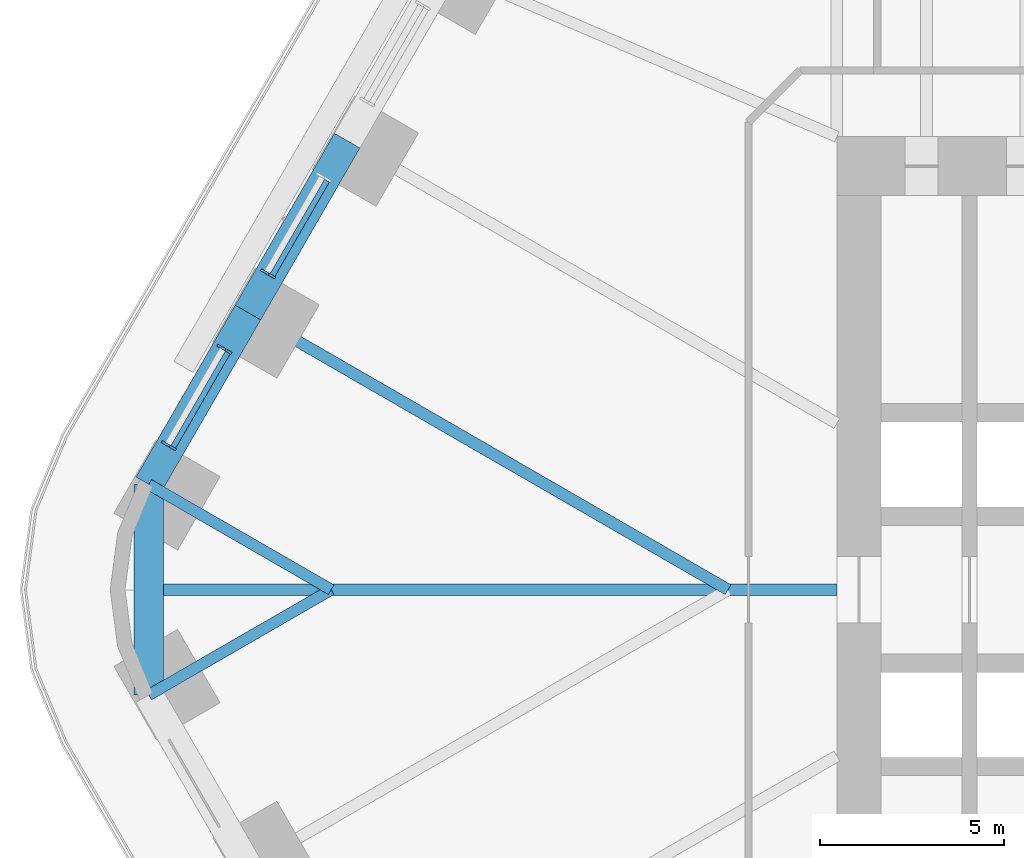
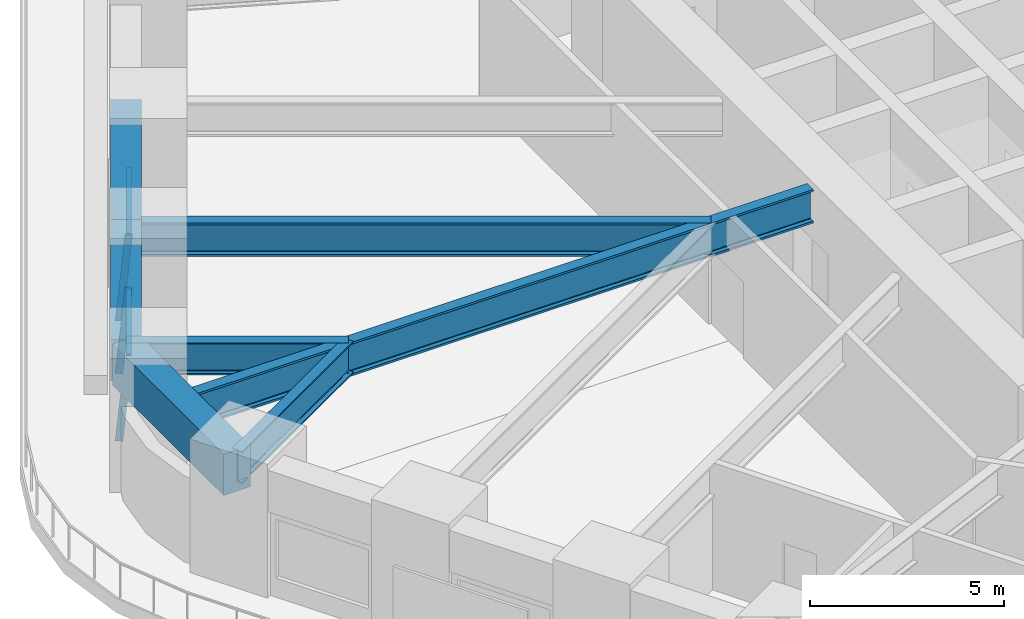
# One storey, part 6 of 23: 7 beams, 5 members, 2 elements without a shape of their own.
"""IFC4 building model written with IfcOpenShell, lengths in metres."""

from ifc_helpers import new_model, si_unit, direction, frame, origin, origin_2d, place, context, subcontext, project, spatial, rectangle, i_section, extrude, material, material_profile, profile_set, type_object, element, aggregate, save


model = new_model("IFC4")

# Units and contexts
model_context = context("Model", 3, precision=1e-05, world=origin(), true_north=direction((0.0, 1.0)))
body_context = subcontext(model_context, "Body", "Model", "MODEL_VIEW")
ifc_project = project(units=[si_unit("LENGTHUNIT", "METRE"), si_unit("AREAUNIT", "SQUARE_METRE"), si_unit("VOLUMEUNIT", "CUBIC_METRE"), si_unit("PLANEANGLEUNIT", "RADIAN"), si_unit("MASSUNIT", "GRAM", prefix="KILO")], contexts=[model_context])

# Site, building, storey
site_placement = place(None, origin())
site = spatial("IfcSite", under=ifc_project, at=site_placement, CompositionType="ELEMENT")
building_placement = place(site_placement, origin())
building = spatial("IfcBuilding", under=site, at=building_placement, Name="Tarfa Lantern Tower", CompositionType="ELEMENT")
storey_placement = place(building_placement, frame((0.0, 0.0, 27.699951171875)))
storey = spatial("IfcBuildingStorey", under=building, at=storey_placement, Name="L05", CompositionType="ELEMENT", Elevation=27.699951171875)

# Curtain wall, member
ifc_material_1 = material(Name="Aluminium framed curtain wall", Category="aluminium")
curtain_wall_type = type_object("IfcCurtainWallType", Name="CW1 CANTED GLAZING LOW ZONE 2700", PredefinedType="USERDEFINED", material=ifc_material_1)
curtain_wall_1_placement = place(storey_placement, origin())
curtain_wall_1 = element("IfcCurtainWall", 1, at=curtain_wall_1_placement, inside=storey, type_object=curtain_wall_type, Name="CW1 NW L05", ObjectType="CURTAIN WALL", PredefinedType="USERDEFINED")
ifc_material_2 = material(Name="Aluminium mullion", Category="aluminium")
ifc_material_profile_1 = material_profile(ifc_material_2, rectangle(XDim=0.06494140625, YDim=0.199951171875, at=origin_2d()), Name="AL MULLION 65x200")
ifc_profile_set_1 = profile_set([ifc_material_profile_1], Name="Aluminium mullion")
member_type_1 = type_object("IfcMemberType", Name="CWM1 MULLION 65x200", PredefinedType="MULLION", material=ifc_profile_set_1)
member_1_placement = place(storey_placement, frame((-34.155517578125, 8.640625, 0.0), z_axis=(0.079774955866, -0.04610020023, 0.995746317068), x_axis=(0.500342721131, 0.865827443207, 0.0)))
member_1 = element("IfcMember", 2, at=member_1_placement, type_object=member_type_1, Name="CW1 mullion 2", PredefinedType="MULLION", context=body_context, shape_type="SweptSolid", body=[
    extrude(rectangle(XDim=0.06494140625, YDim=0.199951171875, at=origin_2d()), origin(), (0.0, 0.0, 1.0), 2.71142578125),
])

# Curtain wall, members
curtain_wall_2_placement = place(storey_placement, origin())
curtain_wall_2 = element("IfcCurtainWall", 3, at=curtain_wall_2_placement, inside=storey, type_object=curtain_wall_type, Name="CW1 NW L05", ObjectType="CURTAIN WALL", PredefinedType="USERDEFINED")
member_2_placement = place(storey_placement, frame((-35.338134765625, 6.592529296875, 0.0), z_axis=(0.07986442134, -0.046099868913, 0.99573916077), x_axis=(0.499919672301, 0.866071776036, 0.0)))
member_2 = element("IfcMember", 4, at=member_2_placement, type_object=member_type_1, Name="CW1 mullion 1", PredefinedType="MULLION", context=body_context, shape_type="SweptSolid", body=[
    extrude(rectangle(XDim=0.06494140625, YDim=0.199951171875, at=origin_2d()), origin(), (0.0, 0.0, 1.0), 2.71142578125),
])
member_3_placement = place(storey_placement, frame((-36.849853515625, 3.97412109375, 0.0), z_axis=(0.07986442134, -0.046099868913, 0.99573916077), x_axis=(0.499919672301, 0.866071776036, 0.0)))
member_3 = element("IfcMember", 5, at=member_3_placement, type_object=member_type_1, Name="CW1 mullion 2", PredefinedType="MULLION", context=body_context, shape_type="SweptSolid", body=[
    extrude(rectangle(XDim=0.06494140625, YDim=0.199951171875, at=origin_2d()), origin(), (0.0, 0.0, 1.0), 2.71142578125),
])

# Member
ifc_material_3 = material(Name="Aluminium transom", Category="aluminium")
ifc_material_profile_2 = material_profile(ifc_material_3, rectangle(XDim=0.14990234375, YDim=0.06494140625, at=origin_2d()), Name="AL TRANSOM 150x65")
ifc_profile_set_2 = profile_set([ifc_material_profile_2], Name="Aluminium transom")
member_type_2 = type_object("IfcMemberType", Name="CWT1 TRANSOM 150x65", PredefinedType="USERDEFINED", material=ifc_profile_set_2)
member_4_placement = place(storey_placement, frame((-32.446044921875, 11.107666015625, 2.66748046875), z_axis=(-0.50004387232, -0.866000072607, 0.0), x_axis=(0.866000072607, -0.50004387232, 0.0)))
member_4 = element("IfcMember", 6, at=member_4_placement, type_object=member_type_2, Name="CW1 transom 1.2", ObjectType="TRANSOM", PredefinedType="USERDEFINED", context=body_context, shape_type="SweptSolid", body=[
    extrude(rectangle(XDim=0.14990234375, YDim=0.06494140625, at=origin_2d()), origin(), (0.0, 0.0, 1.0), 2.958740234375),
])

aggregate(curtain_wall_1, [member_1, member_4])

member_5_placement = place(storey_placement, frame((-35.140380859375, 6.44091796875, 2.66748046875), z_axis=(-0.50004387232, -0.866000072607, 0.0), x_axis=(0.866000072607, -0.50004387232, 0.0)))
member_5 = element("IfcMember", 7, at=member_5_placement, type_object=member_type_2, Name="CW1 transom 1.2", ObjectType="TRANSOM", PredefinedType="USERDEFINED", context=body_context, shape_type="SweptSolid", body=[
    extrude(rectangle(XDim=0.14990234375, YDim=0.06494140625, at=origin_2d()), origin(), (0.0, 0.0, 1.0), 2.958740234375),
])

aggregate(curtain_wall_2, [member_2, member_3, member_5])

# Beams
ifc_material_4 = material(Name="Concrete C80/95", Category="concrete")
ifc_material_profile_3 = material_profile(ifc_material_4, rectangle(XDim=0.800048828125, YDim=1.300048828125, at=origin_2d()), Name="RC 800x1300")
ifc_profile_set_3 = profile_set([ifc_material_profile_3], Name="Concrete C80/95")
beam_type_1 = type_object("IfcBeamType", Name="EB1 RC 800x1300", PredefinedType="SPANDREL", material=ifc_profile_set_3)
beam_1_placement = place(storey_placement, frame((-31.896728515625, 12.193359375, 3.35009765625), z_axis=(-0.499998287579, -0.866026392449, 0.0), x_axis=(0.866026392449, -0.499998287579, 0.0)))
element("IfcBeam", 8, at=beam_1_placement, inside=storey, type_object=beam_type_1, Name="Edge beam NW4", PredefinedType="SPANDREL", context=body_context, shape_type="SweptSolid", body=[
    extrude(rectangle(XDim=0.800048828125, YDim=1.300048828125, at=origin_2d()), origin(), (0.0, 0.0, 1.0), 5.388671875),
])
beam_2_placement = place(storey_placement, frame((-34.591064453125, 7.526611328125, 3.35009765625), z_axis=(-0.500017906299, -0.866015065331, 0.0), x_axis=(0.866015065331, -0.500017906299, 0.0)))
element("IfcBeam", 9, at=beam_2_placement, inside=storey, type_object=beam_type_1, Name="Edge beam NW5", PredefinedType="SPANDREL", context=body_context, shape_type="SweptSolid", body=[
    extrude(rectangle(XDim=0.800048828125, YDim=1.300048828125, at=origin_2d()), origin(), (0.0, 0.0, 1.0), 5.388427734375),
])
beam_3_placement = place(storey_placement, frame((-37.285400390625, 2.860107421875, 3.35009765625), z_axis=(0.0, -1.0, 0.0), x_axis=(1.0, 0.0, 0.0)))
element("IfcBeam", 10, at=beam_3_placement, inside=storey, type_object=beam_type_1, Name="Edge beam NW6", PredefinedType="SPANDREL", context=body_context, shape_type="SweptSolid", body=[
    extrude(rectangle(XDim=0.800048828125, YDim=1.300048828125, at=origin_2d()), origin(), (0.0, 0.0, 1.0), 5.72021484375),
])
ifc_material_5 = material(Name="Steel S460M", Category="steel")
ifc_material_profile_4 = material_profile(ifc_material_5, i_section(OverallWidth=0.302001953125, OverallDepth=1.008056640625, WebThickness=0.02099609375, FlangeThickness=0.0400390625, FilletRadius=0.030029296875, at=origin_2d()), Name="UB1016x305x349")
ifc_profile_set_4 = profile_set([ifc_material_profile_4], Name="Steel S460M")
beam_type_2 = type_object("IfcBeamType", Name="UB1016x305x349", PredefinedType="BEAM", material=ifc_profile_set_4)
for number, where, z_axis, x_axis, name in (
    (11, (-37.285400390625, 2.860107421875, 3.49609375), (0.866025668288, -0.499999541866, 0.0), (0.499999541866, 0.866025668288, 0.0), "Floor beam NW6"),
    (12, (-37.285400390625, -2.860107421875, 3.49609375), (0.866025668288, 0.499999541866, 0.0), (-0.499999541866, 0.866025668288, 0.0), "Floor beam SW0"),
):
    element("IfcBeam", number, at=place(storey_placement, frame(where, z_axis=z_axis, x_axis=x_axis)), inside=storey, type_object=beam_type_2, Name=name, PredefinedType="BEAM", context=body_context, shape_type="SweptSolid", body=[
        extrude(i_section(OverallWidth=0.302001953125, OverallDepth=1.008056640625, WebThickness=0.02099609375, FlangeThickness=0.0400390625, FilletRadius=0.030029296875, at=origin_2d()), origin(), (0.0, 0.0, 1.0), 5.72021484375),
    ])
ifc_material_profile_5 = material_profile(ifc_material_5, i_section(OverallWidth=0.314208984375, OverallDepth=1.055908203125, WebThickness=0.035888671875, FlangeThickness=0.06396484375, FilletRadius=0.030029296875, at=origin_2d()), Name="UB1016x305x584")
ifc_profile_set_5 = profile_set([ifc_material_profile_5], Name="Steel S460M")
beam_type_3 = type_object("IfcBeamType", Name="UB1016x305x584", PredefinedType="BEAM", material=ifc_profile_set_5)
beam_4_placement = place(storey_placement, frame((-18.60009765625, 0.0, 3.47216796875), z_axis=(-1.0, 0.0, 0.0), x_axis=(0.0, -1.0, 0.0)))
element("IfcBeam", 13, at=beam_4_placement, inside=storey, type_object=beam_type_3, Name="Hip girder W", PredefinedType="BEAM", context=body_context, shape_type="SweptSolid", body=[
    extrude(i_section(OverallWidth=0.314208984375, OverallDepth=1.055908203125, WebThickness=0.035888671875, FlangeThickness=0.06396484375, FilletRadius=0.030029296875, at=origin_2d()), origin(), (0.0, 0.0, 1.0), 18.685302734375),
])
beam_5_placement = place(storey_placement, frame((-34.591064453125, 7.526611328125, 3.47216796875), z_axis=(0.86602785945, -0.499995746638, 0.0), x_axis=(0.499995746638, 0.86602785945, 0.0)))
element("IfcBeam", 14, at=beam_5_placement, inside=storey, type_object=beam_type_3, Name="Floor beam NW5", PredefinedType="BEAM", context=body_context, shape_type="SweptSolid", body=[
    extrude(i_section(OverallWidth=0.314208984375, OverallDepth=1.055908203125, WebThickness=0.035888671875, FlangeThickness=0.06396484375, FilletRadius=0.030029296875, at=origin_2d()), origin(), (0.0, 0.0, 1.0), 15.053466796875),
])

save(model, "model.ifc")
